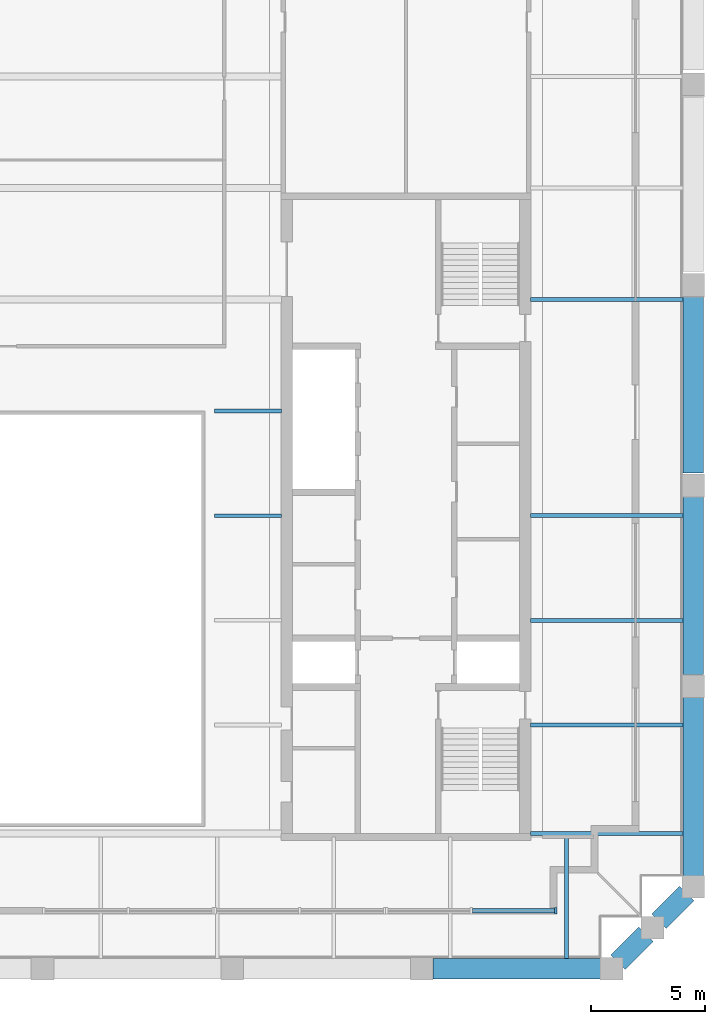
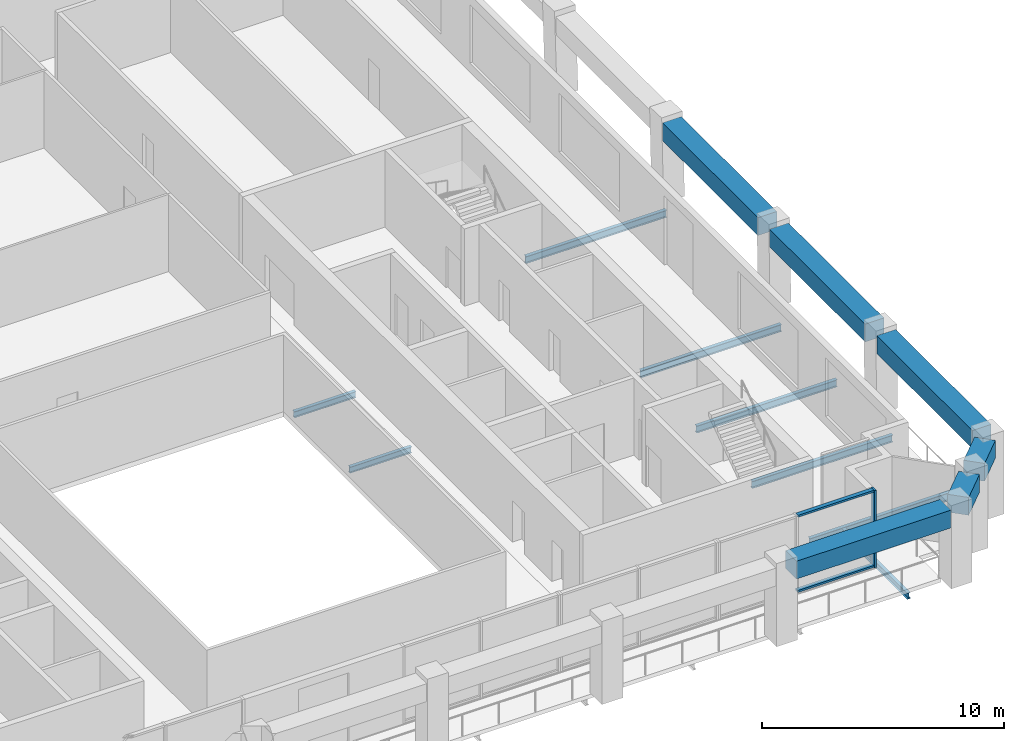
# One storey, part 3 of 10: 14 beams, 3 members, 1 element without a shape of its own.
"""IFC4 building model written with IfcOpenShell, lengths in metres."""

from ifc_helpers import new_model, si_unit, direction, frame, origin, origin_2d, place, context, subcontext, project, spatial, rectangle, i_section, extrude, material, material_profile, profile_set, type_object, element, aggregate, save


model = new_model("IFC4")

# Units and contexts
model_context = context("Model", 3, precision=1e-05, world=origin(), true_north=direction((0.0, 1.0)))
body_context = subcontext(model_context, "Body", "Model", "MODEL_VIEW")
ifc_project = project(units=[si_unit("LENGTHUNIT", "METRE"), si_unit("AREAUNIT", "SQUARE_METRE"), si_unit("VOLUMEUNIT", "CUBIC_METRE"), si_unit("PLANEANGLEUNIT", "RADIAN"), si_unit("MASSUNIT", "GRAM", prefix="KILO")], contexts=[model_context])

# Site, building, storey
site_placement = place(None, origin())
site = spatial("IfcSite", under=ifc_project, at=site_placement, CompositionType="ELEMENT")
building_placement = place(site_placement, origin())
building = spatial("IfcBuilding", under=site, at=building_placement, Name="Ogive Exchange Tower", CompositionType="ELEMENT")
storey_placement = place(building_placement, frame((0.0, 0.0, 359.39990234375)))
storey = spatial("IfcBuildingStorey", under=building, at=storey_placement, Name="L79", CompositionType="ELEMENT", Elevation=359.39990234375)

# Curtain wall, members
ifc_material_1 = material(Name="Anodised aluminium and clear glass", Category="aluminium")
curtain_wall_type = type_object("IfcCurtainWallType", Name="Executive floor glazing", PredefinedType="NOTDEFINED", material=ifc_material_1)
curtain_wall_placement = place(storey_placement, origin())
curtain_wall = element("IfcCurtainWall", 1, at=curtain_wall_placement, inside=storey, type_object=curtain_wall_type, Name="Executive floor glazing run G6", PredefinedType="NOTDEFINED")
ifc_material_2 = material(Name="Anodised aluminium", Category="aluminium")
ifc_material_profile_1 = material_profile(ifc_material_2, rectangle(XDim=0.280029296875, YDim=0.10009765625, at=origin_2d()), Name="AL 100x280")
ifc_profile_set_1 = profile_set([ifc_material_profile_1], Name="Anodised aluminium")
member_type_1 = type_object("IfcMemberType", Name="Executive floor glazing mullion 100 x 280", PredefinedType="MULLION", material=ifc_profile_set_1)
member_1_placement = place(storey_placement, frame((22.60009765625, -5.85009765625, 0.0), z_axis=(0.0, 0.0, 1.0), x_axis=(0.0, 1.0, 0.0)))
member_1 = element("IfcMember", 2, at=member_1_placement, type_object=member_type_1, Name="G6 mullion 3", PredefinedType="MULLION", context=body_context, shape_type="SweptSolid", body=[
    extrude(rectangle(XDim=0.280029296875, YDim=0.10009765625, at=origin_2d()), origin(), (0.0, 0.0, 1.0), 3.900146484375),
])
ifc_material_profile_2 = material_profile(ifc_material_2, rectangle(XDim=0.199951171875, YDim=0.10009765625, at=origin_2d()), Name="AL 100x200")
ifc_profile_set_2 = profile_set([ifc_material_profile_2], Name="Anodised aluminium")
member_type_2 = type_object("IfcMemberType", Name="Executive floor glazing transom 100 x 200", PredefinedType="USERDEFINED", material=ifc_profile_set_2)
member_2_placement = place(storey_placement, frame((18.925048828125, -5.85009765625, 0.050048828125), z_axis=(1.0, 0.0, 0.0), x_axis=(0.0, 1.0, 0.0)))
member_2 = element("IfcMember", 3, at=member_2_placement, type_object=member_type_2, Name="G6 transom 2.1", ObjectType="TRANSOM", PredefinedType="USERDEFINED", context=body_context, shape_type="SweptSolid", body=[
    extrude(rectangle(XDim=0.199951171875, YDim=0.10009765625, at=origin_2d()), origin(), (0.0, 0.0, 1.0), 3.625),
])
member_3_placement = place(storey_placement, frame((18.925048828125, -5.85009765625, 3.85009765625), z_axis=(1.0, 0.0, 0.0), x_axis=(0.0, 1.0, 0.0)))
member_3 = element("IfcMember", 4, at=member_3_placement, type_object=member_type_2, Name="G6 transom 2.2", ObjectType="TRANSOM", PredefinedType="USERDEFINED", context=body_context, shape_type="SweptSolid", body=[
    extrude(rectangle(XDim=0.199951171875, YDim=0.10009765625, at=origin_2d()), origin(), (0.0, 0.0, 1.0), 3.625),
])
aggregate(curtain_wall, [member_1, member_2, member_3])

# Beams
ifc_material_3 = material(Name="Steel ASTM A992 Gr50", Category="steel")
ifc_material_profile_3 = material_profile(ifc_material_3, i_section(OverallWidth=0.1650390625, OverallDepth=0.31005859375, WebThickness=0.005859375, FlangeThickness=0.009765625, at=origin_2d()), Name="W310x38.7")
ifc_profile_set_3 = profile_set([ifc_material_profile_3], Name="Steel ASTM A992 Gr50")
beam_type_1 = type_object("IfcBeamType", Name="Floor beam W310x38.7", PredefinedType="JOIST", material=ifc_profile_set_3)
beam_1_placement = place(storey_placement, frame((7.570068359375, 11.543701171875, -0.40478515625), z_axis=(1.0, 0.0, 0.0), x_axis=(0.0, 1.0, 0.0)))
element("IfcBeam", 5, at=beam_1_placement, inside=storey, type_object=beam_type_1, Name="Floor beam", PredefinedType="JOIST", context=body_context, shape_type="SweptSolid", body=[
    extrude(i_section(OverallWidth=0.1650390625, OverallDepth=0.31005859375, WebThickness=0.005859375, FlangeThickness=0.009765625, at=origin_2d()), origin(), (0.0, 0.0, 1.0), 2.949951171875),
])
beam_2_placement = place(storey_placement, frame((23.07275390625, -7.949951171875, -0.40478515625), z_axis=(0.0, 1.0, 0.0), x_axis=(-1.0, 0.0, 0.0)))
element("IfcBeam", 6, at=beam_2_placement, inside=storey, type_object=beam_type_1, Name="Floor beam", PredefinedType="JOIST", context=body_context, shape_type="SweptSolid", body=[
    extrude(i_section(OverallWidth=0.1650390625, OverallDepth=0.31005859375, WebThickness=0.005859375, FlangeThickness=0.009765625, at=origin_2d()), origin(), (0.0, 0.0, 1.0), 5.416015625),
])
ifc_material_profile_4 = material_profile(ifc_material_3, i_section(OverallWidth=0.1708984375, OverallDepth=0.35595703125, WebThickness=0.00732421875, FlangeThickness=0.01171875, at=origin_2d()), Name="W360x51")
ifc_profile_set_4 = profile_set([ifc_material_profile_4], Name="Steel ASTM A992 Gr50")
beam_type_2 = type_object("IfcBeamType", Name="Floor beam W360x51", PredefinedType="JOIST", material=ifc_profile_set_4)
for number, where, z_axis, x_axis, name in (
    (7, (21.47998046875, 2.3212890625, -0.427978515625), (1.0, 0.0, 0.0), (0.0, 1.0, 0.0), "Floor beam"),
    (8, (21.47998046875, 6.9326171875, -0.427978515625), (1.0, 0.0, 0.0), (0.0, 1.0, 0.0), "Floor beam"),
    (9, (21.47998046875, 11.543701171875, -0.427978515625), (1.0, 0.0, 0.0), (0.0, 1.0, 0.0), "Floor beam"),
    (10, (21.47998046875, 21.06201171875, -0.427978515625), (1.0, 0.0, 0.0), (0.0, 1.0, 0.0), "Floor beam"),
):
    element("IfcBeam", number, at=place(storey_placement, frame(where, z_axis=z_axis, x_axis=x_axis)), inside=storey, type_object=beam_type_2, Name=name, PredefinedType="JOIST", context=body_context, shape_type="SweptSolid", body=[
        extrude(i_section(OverallWidth=0.1708984375, OverallDepth=0.35595703125, WebThickness=0.00732421875, FlangeThickness=0.01171875, at=origin_2d()), origin(), (0.0, 0.0, 1.0), 6.719970703125),
    ])
ifc_material_profile_5 = material_profile(ifc_material_3, i_section(OverallWidth=0.1650390625, OverallDepth=0.31005859375, WebThickness=0.005859375, FlangeThickness=0.009765625, at=origin_2d()), Name="W310x38.7")
ifc_profile_set_5 = profile_set([ifc_material_profile_5], Name="Steel ASTM A992 Gr50")
beam_type_3 = type_object("IfcBeamType", Name="Girder W310x38.7", PredefinedType="BEAM", material=ifc_profile_set_5)
beam_3_placement = place(storey_placement, frame((7.570068359375, 16.155029296875, -0.40478515625), z_axis=(1.0, 0.0, 0.0), x_axis=(0.0, 1.0, 0.0)))
element("IfcBeam", 11, at=beam_3_placement, inside=storey, type_object=beam_type_3, Name="Trimmer girder", PredefinedType="BEAM", context=body_context, shape_type="SweptSolid", body=[
    extrude(i_section(OverallWidth=0.1650390625, OverallDepth=0.31005859375, WebThickness=0.005859375, FlangeThickness=0.009765625, at=origin_2d()), origin(), (0.0, 0.0, 1.0), 2.949951171875),
])
ifc_material_profile_6 = material_profile(ifc_material_3, i_section(OverallWidth=0.177978515625, OverallDepth=0.406005859375, WebThickness=0.0078125, FlangeThickness=0.0126953125, at=origin_2d()), Name="W410x60")
ifc_profile_set_6 = profile_set([ifc_material_profile_6], Name="Steel ASTM A992 Gr50")
beam_type_4 = type_object("IfcBeamType", Name="Girder W410x60", PredefinedType="BEAM", material=ifc_profile_set_6)
beam_4_placement = place(storey_placement, frame((21.47998046875, -2.445068359375, -0.452880859375), z_axis=(1.0, 0.0, 0.0), x_axis=(0.0, 1.0, 0.0)))
element("IfcBeam", 12, at=beam_4_placement, inside=storey, type_object=beam_type_4, Name="Header girder", PredefinedType="BEAM", context=body_context, shape_type="SweptSolid", body=[
    extrude(i_section(OverallWidth=0.177978515625, OverallDepth=0.406005859375, WebThickness=0.0078125, FlangeThickness=0.0126953125, at=origin_2d()), origin(), (0.0, 0.0, 1.0), 6.719970703125),
])
ifc_material_4 = material(Name="Precast concrete C70/85 (limestone faced)", Category="masonry")
ifc_material_profile_7 = material_profile(ifc_material_4, rectangle(XDim=0.89990234375, YDim=0.89990234375, at=origin_2d()), Name="900 x 900")
ifc_profile_set_7 = profile_set([ifc_material_profile_7], Name="Precast concrete C70/85 (limestone faced)")
beam_type_5 = type_object("IfcBeamType", Name="Precast spandrel 900 x 900 C70/85", PredefinedType="SPANDREL", material=ifc_profile_set_7)
beam_5_placement = place(storey_placement, frame((17.179931640625, -8.39990234375, 3.5), z_axis=(1.0, 0.0, 0.0), x_axis=(0.0, 1.0, 0.0)))
element("IfcBeam", 13, at=beam_5_placement, inside=storey, type_object=beam_type_5, Name="Spandrel 6", PredefinedType="SPANDREL", context=body_context, shape_type="SweptSolid", body=[
    extrude(rectangle(XDim=0.89990234375, YDim=0.89990234375, at=origin_2d()), origin(), (0.0, 0.0, 1.0), 7.39013671875),
])
for number, where, z_axis, x_axis, name in (
    (14, (25.337890625, -8.112060546875, 3.5), (0.707106781187, 0.707106781187, 0.0), (-0.707106781187, 0.707106781187, 0.0), "Spandrel 7"),
    (15, (27.137939453125, -6.31201171875, 3.5), (0.707106781187, 0.707106781187, 0.0), (-0.707106781187, 0.707106781187, 0.0), "Spandrel 8"),
):
    element("IfcBeam", number, at=place(storey_placement, frame(where, z_axis=z_axis, x_axis=x_axis)), inside=storey, type_object=beam_type_5, Name=name, PredefinedType="SPANDREL", context=body_context, shape_type="SweptSolid", body=[
        extrude(rectangle(XDim=0.89990234375, YDim=0.89990234375, at=origin_2d()), origin(), (0.0, 0.0, 1.0), 1.731201171875),
    ])
for number, where, z_axis, x_axis, name in (
    (16, (28.64990234375, -4.320068359375, 3.5), (0.0, 1.0, 0.0), (-1.0, 0.0, 0.0), "Spandrel 9"),
    (17, (28.64990234375, 4.552734375, 3.5), (0.0, 1.0, 0.0), (-1.0, 0.0, 0.0), "Spandrel 10"),
):
    element("IfcBeam", number, at=place(storey_placement, frame(where, z_axis=z_axis, x_axis=x_axis)), inside=storey, type_object=beam_type_5, Name=name, PredefinedType="SPANDREL", context=body_context, shape_type="SweptSolid", body=[
        extrude(rectangle(XDim=0.89990234375, YDim=0.89990234375, at=origin_2d()), origin(), (0.0, 0.0, 1.0), 7.912841796875),
    ])
beam_6_placement = place(storey_placement, frame((28.64990234375, 13.425537109375, 3.5), z_axis=(0.0, 1.0, 0.0), x_axis=(-1.0, 0.0, 0.0)))
element("IfcBeam", 18, at=beam_6_placement, inside=storey, type_object=beam_type_5, Name="Spandrel 11", PredefinedType="SPANDREL", context=body_context, shape_type="SweptSolid", body=[
    extrude(rectangle(XDim=0.89990234375, YDim=0.89990234375, at=origin_2d()), origin(), (0.0, 0.0, 1.0), 7.91259765625),
])

save(model, "model.ifc")
